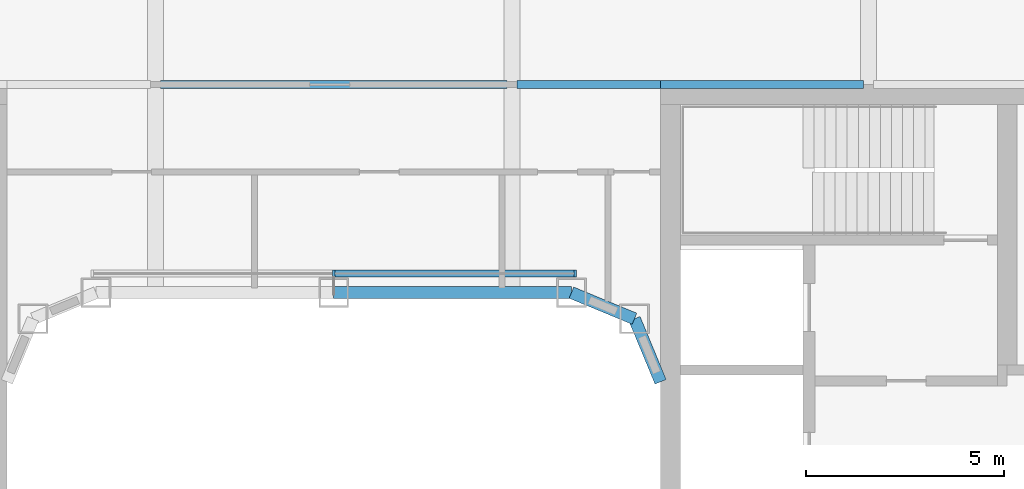
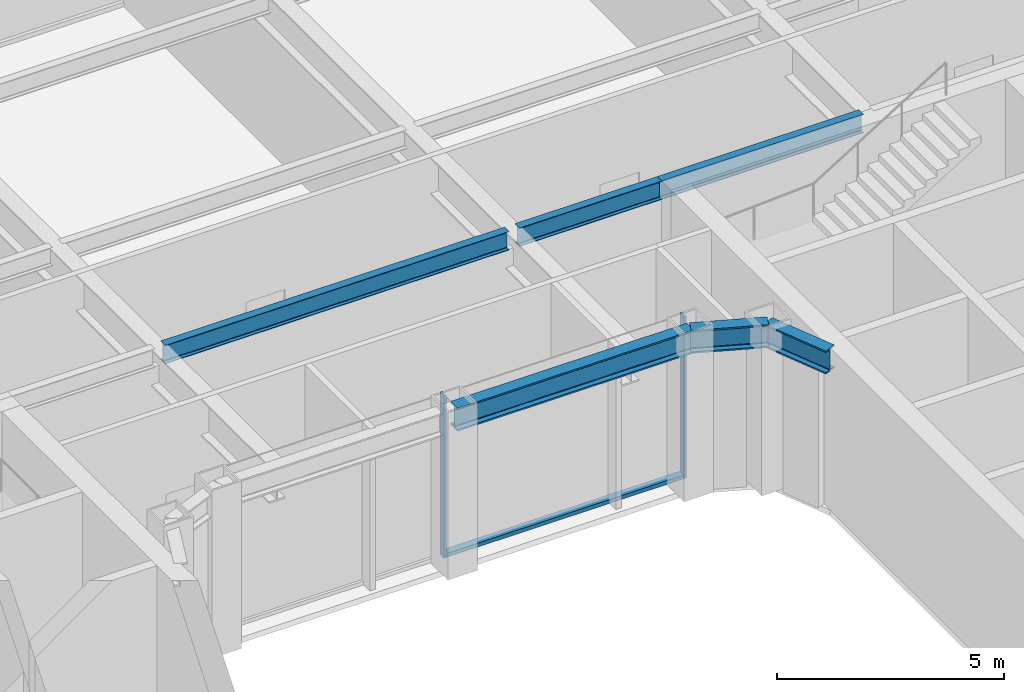
# One storey, part 8 of 30: 6 beams, 3 members, 1 element without a shape of its own.
"""IFC4 building model written with IfcOpenShell, lengths in metres."""

from ifc_helpers import new_model, si_unit, direction, frame, origin, origin_2d, place, context, subcontext, project, spatial, rectangle, i_section, extrude, material, layer, layer_set, material_profile, profile_set, type_object, element, aggregate, save


model = new_model("IFC4")

# Units and contexts
model_context = context("Model", 3, precision=1e-05, world=origin(), true_north=direction((0.0, 1.0)))
body_context = subcontext(model_context, "Body", "Model", "MODEL_VIEW")
ifc_project = project(units=[si_unit("LENGTHUNIT", "METRE"), si_unit("AREAUNIT", "SQUARE_METRE"), si_unit("VOLUMEUNIT", "CUBIC_METRE"), si_unit("PLANEANGLEUNIT", "RADIAN"), si_unit("MASSUNIT", "GRAM", prefix="KILO")], contexts=[model_context])

# Site, building, storey
site_placement = place(None, origin())
site = spatial("IfcSite", under=ifc_project, at=site_placement, CompositionType="ELEMENT")
building_placement = place(site_placement, origin())
building = spatial("IfcBuilding", under=site, at=building_placement, Name="Siwar Civic Tower", CompositionType="ELEMENT")
storey_placement = place(building_placement, frame((0.0, 0.0, 80.699951171875)))
storey = spatial("IfcBuildingStorey", under=building, at=storey_placement, Name="L17", CompositionType="ELEMENT", Elevation=80.699951171875)

# Curtain wall, members
ifc_material_1 = material(Name="Aluminium and glass", Category="aluminium")
ifc_layer = layer(ifc_material_1, 0.179931640625)
ifc_layer_set = layer_set([ifc_layer], Name="Aluminium and glass")
curtain_wall_type = type_object("IfcCurtainWallType", Name="ENV-CW-W", PredefinedType="NOTDEFINED", material=ifc_layer_set)
curtain_wall_placement = place(storey_placement, origin())
curtain_wall = element("IfcCurtainWall", 1, at=curtain_wall_placement, inside=storey, type_object=curtain_wall_type, Name="Curtain wall W WN", PredefinedType="NOTDEFINED")
ifc_material_2 = material(Name="Aluminium 6063-T6", Category="aluminium")
ifc_material_profile_1 = material_profile(ifc_material_2, rectangle(XDim=0.179931640625, YDim=0.06005859375, at=origin_2d()), Name="AL 180x60")
ifc_profile_set_1 = profile_set([ifc_material_profile_1], Name="Aluminium 6063-T6")
member_type_1 = type_object("IfcMemberType", Name="ENV-MULLION-W", PredefinedType="MULLION", material=ifc_profile_set_1)
member_1_placement = place(storey_placement, frame((6.096435546875, 8.735107421875, 0.0), z_axis=(0.0, 0.0, 1.0), x_axis=(0.0, -1.0, 0.0)))
member_1 = element("IfcMember", 2, at=member_1_placement, type_object=member_type_1, Name="Mullion W WN 1", PredefinedType="MULLION", context=body_context, shape_type="SweptSolid", body=[
    extrude(rectangle(XDim=0.179931640625, YDim=0.06005859375, at=origin_2d()), origin(), (0.0, 0.0, 1.0), 4.35009765625),
])
member_2_placement = place(storey_placement, frame((0.0, 8.735107421875, 0.0), z_axis=(0.0, 0.0, 1.0), x_axis=(0.0, -1.0, 0.0)))
member_2 = element("IfcMember", 3, at=member_2_placement, type_object=member_type_1, Name="Mullion W WN 2", PredefinedType="MULLION", context=body_context, shape_type="SweptSolid", body=[
    extrude(rectangle(XDim=0.179931640625, YDim=0.06005859375, at=origin_2d()), origin(), (0.0, 0.0, 1.0), 4.35009765625),
])
ifc_material_3 = material(Name="Aluminium 6063-T6", Category="aluminium")
ifc_material_profile_2 = material_profile(ifc_material_3, rectangle(XDim=0.179931640625, YDim=0.10009765625, at=origin_2d()), Name="AL 180x100")
ifc_profile_set_2 = profile_set([ifc_material_profile_2], Name="Aluminium 6063-T6")
member_type_2 = type_object("IfcMemberType", Name="ENV-TRANSOM-W", PredefinedType="USERDEFINED", material=ifc_profile_set_2)
member_3_placement = place(storey_placement, frame((6.06640625, 8.735107421875, 0.050048828125), z_axis=(-1.0, 0.0, 0.0), x_axis=(0.0, -1.0, 0.0)))
member_3 = element("IfcMember", 4, at=member_3_placement, type_object=member_type_2, Name="Transom W WN 1", ObjectType="TRANSOM", PredefinedType="USERDEFINED", context=body_context, shape_type="SweptSolid", body=[
    extrude(rectangle(XDim=0.179931640625, YDim=0.10009765625, at=origin_2d()), origin(), (0.0, 0.0, 1.0), 6.036376953125),
])
aggregate(curtain_wall, [member_1, member_2, member_3])

# Beams
ifc_material_4 = material(Name="Steel S355", Category="steel")
ifc_material_profile_3 = material_profile(ifc_material_4, i_section(OverallWidth=0.199951171875, OverallDepth=0.5, WebThickness=0.01025390625, FlangeThickness=0.01611328125, FilletRadius=0.02099609375, at=origin_2d()), Name="IPE500")
ifc_profile_set_3 = profile_set([ifc_material_profile_3], Name="Steel S355")
beam_type_1 = type_object("IfcBeamType", Name="STR-FB-IPE500", PredefinedType="JOIST", material=ifc_profile_set_3)
beam_1_placement = place(storey_placement, frame((-4.3701171875, 13.5, 4.10009765625), z_axis=(1.0, 0.0, 0.0), x_axis=(0.0, 1.0, 0.0)))
element("IfcBeam", 5, at=beam_1_placement, inside=storey, type_object=beam_type_1, Name="L17/bm/F041", PredefinedType="JOIST", context=body_context, shape_type="SweptSolid", body=[
    extrude(i_section(OverallWidth=0.199951171875, OverallDepth=0.5, WebThickness=0.01025390625, FlangeThickness=0.01611328125, FilletRadius=0.02099609375, at=origin_2d()), origin(), (0.0, 0.0, 1.0), 8.740234375),
])
beam_2_placement = place(storey_placement, frame((4.6298828125, 13.5, 4.10009765625), z_axis=(1.0, 0.0, 0.0), x_axis=(0.0, 1.0, 0.0)))
element("IfcBeam", 6, at=beam_2_placement, inside=storey, type_object=beam_type_1, Name="L17/bm/F042", PredefinedType="JOIST", context=body_context, shape_type="SweptSolid", body=[
    extrude(i_section(OverallWidth=0.199951171875, OverallDepth=0.5, WebThickness=0.01025390625, FlangeThickness=0.01611328125, FilletRadius=0.02099609375, at=origin_2d()), origin(), (0.0, 0.0, 1.0), 3.6201171875),
])
beam_3_placement = place(storey_placement, frame((8.25, 13.5, 4.10009765625), z_axis=(1.0, 0.0, 0.0), x_axis=(0.0, 1.0, 0.0)))
element("IfcBeam", 7, at=beam_3_placement, inside=storey, type_object=beam_type_1, Name="L17/bm/F043", PredefinedType="JOIST", context=body_context, shape_type="SweptSolid", body=[
    extrude(i_section(OverallWidth=0.199951171875, OverallDepth=0.5, WebThickness=0.01025390625, FlangeThickness=0.01611328125, FilletRadius=0.02099609375, at=origin_2d()), origin(), (0.0, 0.0, 1.0), 5.1201171875),
])
ifc_material_5 = material(Name="Steel S355", Category="steel")
ifc_material_profile_4 = material_profile(ifc_material_5, i_section(OverallWidth=0.304931640625, OverallDepth=0.6201171875, WebThickness=0.02099609375, FlangeThickness=0.0400390625, FilletRadius=0.027099609375, at=origin_2d()), Name="HEM600")
ifc_profile_set_4 = profile_set([ifc_material_profile_4], Name="Steel S355")
beam_type_2 = type_object("IfcBeamType", Name="STR-RB-HEM600", PredefinedType="BEAM", material=ifc_profile_set_4)
beam_4_placement = place(storey_placement, frame((0.0, 8.25, 4.0400390625), z_axis=(1.0, 0.0, 0.0), x_axis=(0.0, 1.0, 0.0)))
element("IfcBeam", 8, at=beam_4_placement, inside=storey, type_object=beam_type_2, Name="L17/bm/RN2", PredefinedType="BEAM", context=body_context, shape_type="SweptSolid", body=[
    extrude(i_section(OverallWidth=0.304931640625, OverallDepth=0.6201171875, WebThickness=0.02099609375, FlangeThickness=0.0400390625, FilletRadius=0.027099609375, at=origin_2d()), origin(), (0.0, 0.0, 1.0), 6.0),
])
for number, where, z_axis, x_axis, name in (
    (9, (6.0, 8.25, 4.0400390625), (0.923901072997, -0.382631424892, 0.0), (0.382631424892, 0.923901072997, 0.0), "L17/bm/RN3"),
    (10, (7.591064453125, 7.591064453125, 4.0400390625), (0.382631424892, -0.923901072997, 0.0), (0.923901072997, 0.382631424892, 0.0), "L17/bm/RNEE"),
):
    element("IfcBeam", number, at=place(storey_placement, frame(where, z_axis=z_axis, x_axis=x_axis)), inside=storey, type_object=beam_type_2, Name=name, PredefinedType="BEAM", context=body_context, shape_type="SweptSolid", body=[
        extrude(i_section(OverallWidth=0.304931640625, OverallDepth=0.6201171875, WebThickness=0.02099609375, FlangeThickness=0.0400390625, FilletRadius=0.027099609375, at=origin_2d()), origin(), (0.0, 0.0, 1.0), 1.72216796875),
    ])

save(model, "model.ifc")
